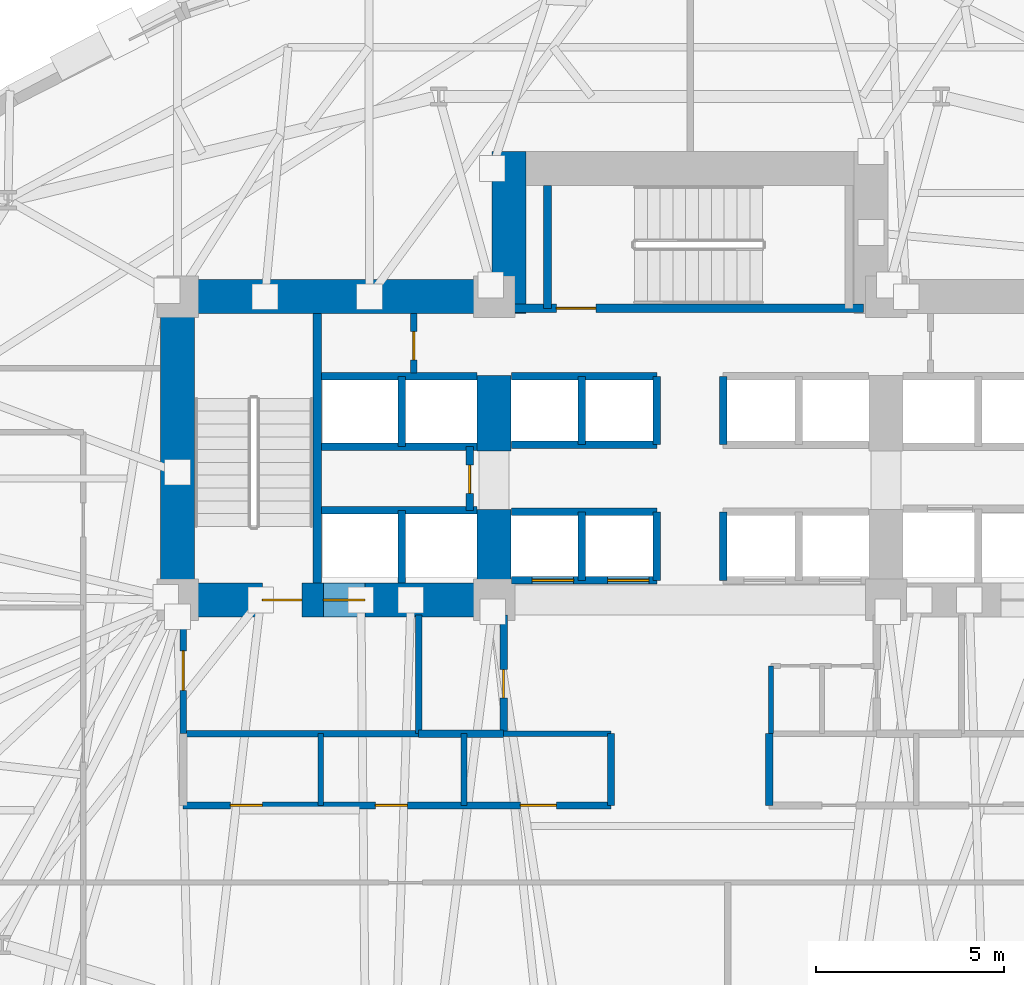
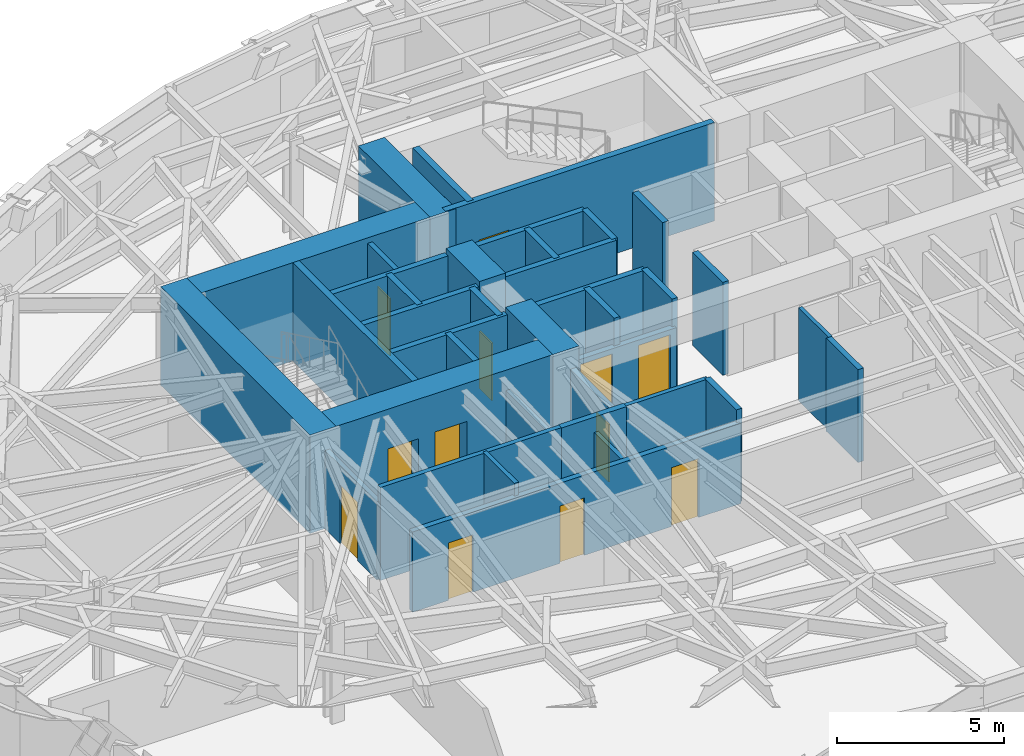
# One storey, part 7 of 14: 38 walls, 12 doors, 12 openings.
"""IFC4 building model written with IfcOpenShell, lengths in metres."""

from ifc_helpers import new_model, si_unit, direction, frame, frame_2d, origin, place, context, subcontext, project, spatial, rectangle, extrude, material, layer, layer_set, type_object, element, fill, save


model = new_model("IFC4")

# Units and contexts
model_context = context("Model", 3, precision=1e-05, world=origin(), true_north=direction((0.0, 1.0)))
body_context = subcontext(model_context, "Body", "Model", "MODEL_VIEW")
ifc_project = project(units=[si_unit("LENGTHUNIT", "METRE"), si_unit("AREAUNIT", "SQUARE_METRE"), si_unit("VOLUMEUNIT", "CUBIC_METRE"), si_unit("PLANEANGLEUNIT", "RADIAN"), si_unit("MASSUNIT", "GRAM", prefix="KILO")], contexts=[model_context])

# Site, building, storey
site_placement = place(None, origin())
site = spatial("IfcSite", under=ifc_project, at=site_placement, CompositionType="ELEMENT")
building_placement = place(site_placement, origin())
building = spatial("IfcBuilding", under=site, at=building_placement, Name="Keldmark Tower", CompositionType="ELEMENT")
storey_placement = place(building_placement, frame((0.0, 0.0, 63.0)))
storey = spatial("IfcBuildingStorey", under=building, at=storey_placement, Name="L16", CompositionType="ELEMENT", Elevation=63.0)

# Wall, openings, doors
ifc_material_1 = material(Name="Heavy Acoustic Plumbing Chase Gypsum Assembly", Category="gypsum")
ifc_layer_1 = layer(ifc_material_1, 0.18994140625)
ifc_layer_set_1 = layer_set([ifc_layer_1], Name="Heavy Acoustic Plumbing Chase Gypsum Assembly")
wall_type_1 = type_object("IfcWallType", Name="Heavy Wet Wall 190 mm", PredefinedType="PLUMBINGWALL", material=ifc_layer_set_1)
wall_1_placement = place(storey_placement, frame((-13.449951171875, -4.050048828125, 0.0), z_axis=(0.0, 0.0, 1.0), x_axis=(1.0, 0.0, 0.0)))
wall_1 = element("IfcWall", 1, at=wall_1_placement, inside=storey, type_object=wall_type_1, Name="L16 Heavy Wet Wall 190 mm SPK-W-S", PredefinedType="PLUMBINGWALL", context=body_context, shape_type="SweptSolid", body=[
    extrude(rectangle(XDim=11.349853515625, YDim=0.18994140625, at=frame_2d((5.6748046875, 0.0))), origin(), (0.0, 0.0, 1.0), 2.93310546875),
])
opening_1_placement = place(wall_1_placement, frame((1.25, 0.0, 0.0)))
opening_1 = element("IfcOpeningElement", 2, at=opening_1_placement, cuts=wall_1, Name="Opening D-WC085", PredefinedType="OPENING", context=body_context, shape_type="SweptSolid", body=[
    extrude(rectangle(XDim=0.85009765625, YDim=2.10009765625, at=frame_2d((0.425048828125, 1.050048828125))), frame((0.0, 0.10498046875, 0.0), z_axis=(0.0, -1.0, 0.0), x_axis=(1.0, 0.0, 0.0)), (0.0, 0.0, 1.0), 0.2099609375),
])
opening_2_placement = place(wall_1_placement, frame((5.10009765625, 0.0, 0.0)))
opening_2 = element("IfcOpeningElement", 3, at=opening_2_placement, cuts=wall_1, Name="Opening D-WC085", PredefinedType="OPENING", context=body_context, shape_type="SweptSolid", body=[
    extrude(rectangle(XDim=0.85009765625, YDim=2.10009765625, at=frame_2d((0.425048828125, 1.050048828125))), frame((0.0, 0.10498046875, 0.0), z_axis=(0.0, -1.0, 0.0), x_axis=(1.0, 0.0, 0.0)), (0.0, 0.0, 1.0), 0.2099609375),
])
opening_3_placement = place(wall_1_placement, frame((8.949951171875, 0.0, 0.0)))
opening_3 = element("IfcOpeningElement", 4, at=opening_3_placement, cuts=wall_1, Name="Opening D-AWC95", PredefinedType="OPENING", context=body_context, shape_type="SweptSolid", body=[
    extrude(rectangle(XDim=0.949951171875, YDim=2.14990234375, at=frame_2d((0.47509765625, 1.074951171875))), frame((0.0, 0.10498046875, 0.0), z_axis=(0.0, -1.0, 0.0), x_axis=(1.0, 0.0, 0.0)), (0.0, 0.0, 1.0), 0.2099609375),
])
ifc_material_2 = material(Name="Painted Solid-Core Architectural Wood", Category="wood")
door_type_1 = type_object("IfcDoorType", Name="Accessible WC Door 950x2150", OperationType="NOTDEFINED", PredefinedType="DOOR", material=ifc_material_2)
door_1_placement = place(opening_3_placement, origin())
door_1 = element("IfcDoor", 5, at=door_1_placement, inside=storey, type_object=door_type_1, Name="L16 Accessible WC Door 950x2150 D-SPKW3-L16", OperationType="SINGLE_SWING_LEFT", OverallHeight=2.14990234375, OverallWidth=0.949951171875, PredefinedType="DOOR", context=body_context, shape_type="SweptSolid", body=[
    extrude(rectangle(XDim=0.949951171875, YDim=2.14990234375, at=frame_2d((0.47509765625, 1.074951171875))), frame((0.0, 0.02490234375, 0.0), z_axis=(0.0, -1.0, 0.0), x_axis=(1.0, 0.0, 0.0)), (0.0, 0.0, 1.0), 0.050048828125),
])
fill(opening_3, door_1)
ifc_material_3 = material(Name="Moisture-Sealed Painted Wood", Category="wood")
door_type_2 = type_object("IfcDoorType", Name="WC Door 850x2100", OperationType="NOTDEFINED", PredefinedType="DOOR", material=ifc_material_3)
door_2_placement = place(opening_1_placement, origin())
door_2 = element("IfcDoor", 6, at=door_2_placement, inside=storey, type_object=door_type_2, Name="L16 WC Door 850x2100 D-SPKW1-L16", OperationType="SINGLE_SWING_LEFT", OverallHeight=2.10009765625, OverallWidth=0.85009765625, PredefinedType="DOOR", context=body_context, shape_type="SweptSolid", body=[
    extrude(rectangle(XDim=0.85009765625, YDim=2.10009765625, at=frame_2d((0.425048828125, 1.050048828125))), frame((0.0, 0.02490234375, 0.0), z_axis=(0.0, -1.0, 0.0), x_axis=(1.0, 0.0, 0.0)), (0.0, 0.0, 1.0), 0.050048828125),
])
fill(opening_1, door_2)
door_3_placement = place(opening_2_placement, origin())
door_3 = element("IfcDoor", 7, at=door_3_placement, inside=storey, type_object=door_type_2, Name="L16 WC Door 850x2100 D-SPKW2-L16", OperationType="SINGLE_SWING_RIGHT", OverallHeight=2.10009765625, OverallWidth=0.85009765625, PredefinedType="DOOR", context=body_context, shape_type="SweptSolid", body=[
    extrude(rectangle(XDim=0.85009765625, YDim=2.10009765625, at=frame_2d((0.425048828125, 1.050048828125))), frame((0.0, 0.02490234375, 0.0), z_axis=(0.0, -1.0, 0.0), x_axis=(1.0, 0.0, 0.0)), (0.0, 0.0, 1.0), 0.050048828125),
])
fill(opening_2, door_3)

# Walls
for number, where, z_axis, x_axis, name in (
    (8, (-2.10009765625, -4.050048828125, 0.0), (0.0, 0.0, 1.0), (0.0, 1.0, 0.0), "L16 Heavy Wet Wall 190 mm SPK-W-E"),
    (9, (2.10009765625, -4.050048828125, 0.0), (0.0, 0.0, 1.0), (0.0, 1.0, 0.0), "L16 Heavy Wet Wall 190 mm SPK-E-W"),
):
    element("IfcWall", number, at=place(storey_placement, frame(where, z_axis=z_axis, x_axis=x_axis)), inside=storey, type_object=wall_type_1, Name=name, PredefinedType="PLUMBINGWALL", context=body_context, shape_type="SweptSolid", body=[
        extrude(rectangle(XDim=1.900146484375, YDim=0.18994140625, at=frame_2d((0.9501953125, 0.0))), origin(), (0.0, 0.0, 1.0), 3.39990234375),
    ])
ifc_material_4 = material(Name="Acoustic Gypsum Board Interior Partition", Category="gypsum")
ifc_layer_2 = layer(ifc_material_4, 0.1298828125)
ifc_layer_set_2 = layer_set([ifc_layer_2], Name="Acoustic Gypsum Board Interior Partition")
wall_type_2 = type_object("IfcWallType", Name="Interior Partition 130 mm", PredefinedType="PARTITIONING", material=ifc_layer_set_2)
wall_2_placement = place(storey_placement, frame((2.14990234375, -2.14990234375, 0.0), z_axis=(0.0, 0.0, 1.0), x_axis=(0.0, 1.0, 0.0)))
element("IfcWall", 10, at=wall_2_placement, inside=storey, type_object=wall_type_2, Name="L16 Interior Partition 130 mm CSC-E-W", PredefinedType="PARTITIONING", context=body_context, shape_type="SweptSolid", body=[
    extrude(rectangle(XDim=1.7998046875, YDim=0.1298828125, at=frame_2d((0.89990234375, 0.0))), origin(), (0.0, 0.0, 1.0), 3.39990234375),
])
ifc_material_5 = material(Name="Concrete C70/85", Category="concrete")
ifc_layer_3 = layer(ifc_material_5, 0.89990234375)
ifc_layer_set_3 = layer_set([ifc_layer_3], Name="Concrete C70/85")
wall_type_3 = type_object("IfcWallType", Name="Lower Core Shear Wall 900 mm", PredefinedType="SHEAR", material=ifc_layer_set_3)
wall_3_placement = place(storey_placement, frame((-13.60009765625, 0.949951171875, 0.0), z_axis=(0.0, 0.0, 1.0), x_axis=(0.0, 1.0, 0.0)))
element("IfcWall", 11, at=wall_3_placement, inside=storey, type_object=wall_type_3, Name="L16 West Core Outer Shear Wall", PredefinedType="SHEAR", context=body_context, shape_type="SweptSolid", body=[
    extrude(rectangle(XDim=8.949951171875, YDim=0.89990234375, at=frame_2d((4.47509765625, 0.0))), origin(), (0.0, 0.0, 1.0), 3.60009765625),
])
wall_4_placement = place(storey_placement, frame((-14.050048828125, 9.449951171875, 0.0), z_axis=(0.0, 0.0, 1.0), x_axis=(1.0, 0.0, 0.0)))
element("IfcWall", 12, at=wall_4_placement, inside=storey, type_object=wall_type_3, Name="L16 West Core North Shear Wall", PredefinedType="SHEAR", context=body_context, shape_type="SweptSolid", body=[
    extrude(rectangle(XDim=9.699951171875, YDim=0.89990234375, at=frame_2d((4.85009765625, 0.0))), origin(), (0.0, 0.0, 1.0), 3.60009765625),
])

# Wall, openings, doors
wall_5_placement = place(storey_placement, frame((-4.75, 1.39990234375, 0.0), z_axis=(0.0, 0.0, 1.0), x_axis=(-1.0, 0.0, 0.0)))
wall_5 = element("IfcWall", 13, at=wall_5_placement, inside=storey, type_object=wall_type_3, Name="L16 West Core South Shear Wall", PredefinedType="SHEAR", context=body_context, shape_type="SweptSolid", body=[
    extrude(rectangle(XDim=9.300048828125, YDim=0.89990234375, at=frame_2d((4.64990234375, 0.0))), origin(), (0.0, 0.0, 1.0), 3.60009765625),
])
opening_4_placement = place(wall_5_placement, frame((5.550048828125, 0.0, 0.0)))
opening_4 = element("IfcOpeningElement", 14, at=opening_4_placement, cuts=wall_5, Name="Opening D-ST105", PredefinedType="OPENING", context=body_context, shape_type="SweptSolid", body=[
    extrude(rectangle(XDim=1.050048828125, YDim=2.14990234375, at=frame_2d((0.52490234375, 1.074951171875))), frame((0.0, 0.4599609375, 0.0), z_axis=(0.0, -1.0, 0.0), x_axis=(1.0, 0.0, 0.0)), (0.0, 0.0, 1.0), 0.919921875),
])
opening_5_placement = place(wall_5_placement, frame((3.8798828125, 0.0, 0.0)))
opening_5 = element("IfcOpeningElement", 15, at=opening_5_placement, cuts=wall_5, Name="Opening LD-110", PredefinedType="OPENING", context=body_context, shape_type="SweptSolid", body=[
    extrude(rectangle(XDim=1.10009765625, YDim=2.199951171875, at=frame_2d((0.550048828125, 1.10009765625))), frame((0.0, 0.4599609375, 0.0), z_axis=(0.0, -1.0, 0.0), x_axis=(1.0, 0.0, 0.0)), (0.0, 0.0, 1.0), 0.919921875),
])
ifc_material_6 = material(Name="Brushed Bronze Hoistway Sliding Leaf", Category="metal")
door_type_3 = type_object("IfcDoorType", Name="Lift Landing Sliding Door 1100x2200", OperationType="SLIDING_TO_LEFT", PredefinedType="DOOR", material=ifc_material_6)
door_4_placement = place(opening_5_placement, origin())
door_4 = element("IfcDoor", 16, at=door_4_placement, inside=storey, type_object=door_type_3, Name="L16 Lift Landing Sliding Door 1100x2200 LD-EL-FS1-L16", OperationType="SLIDING_TO_LEFT", OverallHeight=2.199951171875, OverallWidth=1.10009765625, PredefinedType="DOOR", context=body_context, shape_type="SweptSolid", body=[
    extrude(rectangle(XDim=1.10009765625, YDim=2.199951171875, at=frame_2d((0.550048828125, 1.10009765625))), frame((0.0, 0.02490234375, 0.0), z_axis=(0.0, -1.0, 0.0), x_axis=(1.0, 0.0, 0.0)), (0.0, 0.0, 1.0), 0.050048828125),
])
fill(opening_5, door_4)
ifc_material_7 = material(Name="Hollow Metal Fire-Rated Door Assembly", Category="metal")
door_type_4 = type_object("IfcDoorType", Name="Stair Fire Door 1050x2150", OperationType="NOTDEFINED", PredefinedType="DOOR", material=ifc_material_7)
door_5_placement = place(opening_4_placement, origin())
door_5 = element("IfcDoor", 17, at=door_5_placement, inside=storey, type_object=door_type_4, Name="L16 Stair Fire Door 1050x2150 D-ST1-L16", OperationType="SINGLE_SWING_RIGHT", OverallHeight=2.14990234375, OverallWidth=1.050048828125, PredefinedType="DOOR", context=body_context, shape_type="SweptSolid", body=[
    extrude(rectangle(XDim=1.050048828125, YDim=2.14990234375, at=frame_2d((0.52490234375, 1.074951171875))), frame((0.0, 0.02490234375, 0.0), z_axis=(0.0, -1.0, 0.0), x_axis=(1.0, 0.0, 0.0)), (0.0, 0.0, 1.0), 0.050048828125),
])
fill(opening_4, door_5)

# Walls
wall_6_placement = place(storey_placement, frame((-5.199951171875, 0.949951171875, 0.0), z_axis=(0.0, 0.0, 1.0), x_axis=(0.0, 1.0, 0.0)))
element("IfcWall", 18, at=wall_6_placement, inside=storey, type_object=wall_type_3, Name="L16 West Core Inner Shear Pier South", PredefinedType="SHEAR", context=body_context, shape_type="SweptSolid", body=[
    extrude(rectangle(XDim=2.85009765625, YDim=0.89990234375, at=frame_2d((1.425048828125, 0.0))), origin(), (0.0, 0.0, 1.0), 3.60009765625),
])
wall_7_placement = place(storey_placement, frame((-5.199951171875, 5.35009765625, 0.0), z_axis=(0.0, 0.0, 1.0), x_axis=(0.0, 1.0, 0.0)))
element("IfcWall", 19, at=wall_7_placement, inside=storey, type_object=wall_type_3, Name="L16 West Core Inner Shear Pier North", PredefinedType="SHEAR", context=body_context, shape_type="SweptSolid", body=[
    extrude(rectangle(XDim=2.0, YDim=0.89990234375, at=frame_2d((1.0, 0.0))), origin(), (0.0, 0.0, 1.0), 3.60009765625),
])
wall_8_placement = place(storey_placement, frame((-4.800048828125, 9.0, 0.0), z_axis=(0.0, 0.0, 1.0), x_axis=(0.0, 1.0, 0.0)))
element("IfcWall", 20, at=wall_8_placement, inside=storey, type_object=wall_type_3, Name="L16 North Core West Shear Wall", PredefinedType="SHEAR", context=body_context, shape_type="SweptSolid", body=[
    extrude(rectangle(XDim=4.300048828125, YDim=0.89990234375, at=frame_2d((2.14990234375, 0.0))), origin(), (0.0, 0.0, 1.0), 3.60009765625),
])
ifc_material_8 = material(Name="Type X Fire-Rated Gypsum Partition Assembly", Category="gypsum")
ifc_layer_4 = layer(ifc_material_8, 0.1650390625)
ifc_layer_set_4 = layer_set([ifc_layer_4], Name="Type X Fire-Rated Gypsum Partition Assembly")
wall_type_4 = type_object("IfcWallType", Name="Rated Partition 165 mm", PredefinedType="PARTITIONING", material=ifc_layer_set_4)
wall_9_placement = place(storey_placement, frame((-13.449951171875, -2.14990234375, 0.0), z_axis=(0.0, 0.0, 1.0), x_axis=(1.0, 0.0, 0.0)))
element("IfcWall", 21, at=wall_9_placement, inside=storey, type_object=wall_type_4, Name="L16 Rated Partition 165 mm FSAE-W-S", PredefinedType="PARTITIONING", context=body_context, shape_type="SweptSolid", body=[
    extrude(rectangle(XDim=6.25, YDim=0.1650390625, at=frame_2d((3.125, 0.0))), origin(), (0.0, 0.0, 1.0), 3.39990234375),
])

# Wall, opening, door
wall_10_placement = place(storey_placement, frame((-13.449951171875, -2.14990234375, 0.0), z_axis=(0.0, 0.0, 1.0), x_axis=(0.0, 1.0, 0.0)))
wall_10 = element("IfcWall", 22, at=wall_10_placement, inside=storey, type_object=wall_type_4, Name="L16 Rated Partition 165 mm FSAE-W-W", PredefinedType="PARTITIONING", context=body_context, shape_type="SweptSolid", body=[
    extrude(rectangle(XDim=3.14990234375, YDim=0.1650390625, at=frame_2d((1.574951171875, 0.0))), origin(), (0.0, 0.0, 1.0), 2.85302734375),
])
opening_6_placement = place(wall_10_placement, frame((1.14990234375, 0.0, 0.0)))
opening_6 = element("IfcOpeningElement", 23, at=opening_6_placement, cuts=wall_10, Name="Opening D-FL105", PredefinedType="OPENING", context=body_context, shape_type="SweptSolid", body=[
    extrude(rectangle(XDim=1.050048828125, YDim=2.14990234375, at=frame_2d((0.52490234375, 1.074951171875))), frame((0.0, 0.092529296875, 0.0), z_axis=(0.0, -1.0, 0.0), x_axis=(1.0, 0.0, 0.0)), (0.0, 0.0, 1.0), 0.18505859375),
])
ifc_material_9 = material(Name="Fire-Rated Mineral-Core Door and Vision Lite", Category="metal")
door_type_5 = type_object("IfcDoorType", Name="Fire Lobby Door 1050x2150", OperationType="NOTDEFINED", PredefinedType="DOOR", material=ifc_material_9)
door_6_placement = place(opening_6_placement, origin())
door_6 = element("IfcDoor", 24, at=door_6_placement, inside=storey, type_object=door_type_5, Name="L16 Fire Lobby Door 1050x2150 D-FSAEW-OUT-L16", OperationType="SINGLE_SWING_LEFT", OverallHeight=2.14990234375, OverallWidth=1.050048828125, PredefinedType="DOOR", context=body_context, shape_type="SweptSolid", body=[
    extrude(rectangle(XDim=1.050048828125, YDim=2.14990234375, at=frame_2d((0.52490234375, 1.074951171875))), frame((0.0, 0.02490234375, 0.0), z_axis=(0.0, -1.0, 0.0), x_axis=(1.0, 0.0, 0.0)), (0.0, 0.0, 1.0), 0.050048828125),
])
fill(opening_6, door_6)

# Wall
wall_11_placement = place(storey_placement, frame((-7.199951171875, -2.14990234375, 0.0), z_axis=(0.0, 0.0, 1.0), x_axis=(0.0, 1.0, 0.0)))
element("IfcWall", 25, at=wall_11_placement, inside=storey, type_object=wall_type_4, Name="L16 Rated Partition 165 mm FSAE-W-E", PredefinedType="PARTITIONING", context=body_context, shape_type="SweptSolid", body=[
    extrude(rectangle(XDim=3.14990234375, YDim=0.1650390625, at=frame_2d((1.574951171875, 0.0))), origin(), (0.0, 0.0, 1.0), 2.85302734375),
])

# Wall, opening, door
wall_12_placement = place(storey_placement, frame((-7.330078125, 7.419921875, 0.0), z_axis=(0.0, 0.0, 1.0), x_axis=(0.0, 1.0, 0.0)))
wall_12 = element("IfcWall", 26, at=wall_12_placement, inside=storey, type_object=wall_type_4, Name="L16 Rated Partition 165 mm CS-NW-E", PredefinedType="PARTITIONING", context=body_context, shape_type="SweptSolid", body=[
    extrude(rectangle(XDim=1.580078125, YDim=0.1650390625, at=frame_2d((0.7900390625, 0.0))), origin(), (0.0, 0.0, 1.0), 3.39990234375),
])
opening_7_placement = place(wall_12_placement, frame((0.35009765625, 0.0, 0.0)))
opening_7 = element("IfcOpeningElement", 27, at=opening_7_placement, cuts=wall_12, Name="Opening D-RS075", PredefinedType="OPENING", context=body_context, shape_type="SweptSolid", body=[
    extrude(rectangle(XDim=0.75, YDim=2.10009765625, at=frame_2d((0.375, 1.050048828125))), frame((0.0, 0.092529296875, 0.0), z_axis=(0.0, -1.0, 0.0), x_axis=(1.0, 0.0, 0.0)), (0.0, 0.0, 1.0), 0.18505859375),
])
ifc_material_10 = material(Name="Galvanized Fire-Rated Access Leaf", Category="metal")
door_type_6 = type_object("IfcDoorType", Name="Riser Access Door 750x2100", OperationType="NOTDEFINED", PredefinedType="DOOR", material=ifc_material_10)
door_7_placement = place(opening_7_placement, origin())
door_7 = element("IfcDoor", 28, at=door_7_placement, inside=storey, type_object=door_type_6, Name="L16 Riser Access Door 750x2100 D-CSNW1-L16", OperationType="SINGLE_SWING_RIGHT", OverallHeight=2.10009765625, OverallWidth=0.75, PredefinedType="DOOR", context=body_context, shape_type="SweptSolid", body=[
    extrude(rectangle(XDim=0.75, YDim=2.10009765625, at=frame_2d((0.375, 1.050048828125))), frame((0.0, 0.02490234375, 0.0), z_axis=(0.0, -1.0, 0.0), x_axis=(1.0, 0.0, 0.0)), (0.0, 0.0, 1.0), 0.050048828125),
])
fill(opening_7, door_7)

# Wall
ifc_material_11 = material(Name="Fire-Resistant Type X Gypsum Shaftliner Coreboard", Category="gypsum")
ifc_layer_5 = layer(ifc_material_11, 0.199951171875)
ifc_layer_set_5 = layer_set([ifc_layer_5], Name="Fire-Resistant Type X Gypsum Shaftliner Coreboard")
wall_type_5 = type_object("IfcWallType", Name="Shaft Wall 200 mm", PredefinedType="SOLIDWALL", material=ifc_layer_set_5)
wall_13_placement = place(storey_placement, frame((-7.199951171875, -2.14990234375, 0.0), z_axis=(0.0, 0.0, 1.0), x_axis=(1.0, 0.0, 0.0)))
element("IfcWall", 29, at=wall_13_placement, inside=storey, type_object=wall_type_5, Name="L16 Shaft Wall 200 mm RIS-SW-S", PredefinedType="SOLIDWALL", context=body_context, shape_type="SweptSolid", body=[
    extrude(rectangle(XDim=2.25, YDim=0.199951171875, at=frame_2d((1.125, 0.0))), origin(), (0.0, 0.0, 1.0), 3.39990234375),
])

# Wall, opening, door
wall_14_placement = place(storey_placement, frame((-4.949951171875, -2.14990234375, 0.0), z_axis=(0.0, 0.0, 1.0), x_axis=(0.0, 1.0, 0.0)))
wall_14 = element("IfcWall", 30, at=wall_14_placement, inside=storey, type_object=wall_type_5, Name="L16 Shaft Wall 200 mm RIS-SW-E", PredefinedType="SOLIDWALL", context=body_context, shape_type="SweptSolid", body=[
    extrude(rectangle(XDim=3.14990234375, YDim=0.199951171875, at=frame_2d((1.574951171875, 0.0))), origin(), (0.0, 0.0, 1.0), 2.85302734375),
])
opening_8_placement = place(wall_14_placement, frame((0.949951171875, 0.0, 0.0)))
opening_8 = element("IfcOpeningElement", 31, at=opening_8_placement, cuts=wall_14, Name="Opening D-RS075", PredefinedType="OPENING", context=body_context, shape_type="SweptSolid", body=[
    extrude(rectangle(XDim=0.75, YDim=2.10009765625, at=frame_2d((0.375, 1.050048828125))), frame((0.0, 0.10986328125, 0.0), z_axis=(0.0, -1.0, 0.0), x_axis=(1.0, 0.0, 0.0)), (0.0, 0.0, 1.0), 0.219970703125),
])
door_8_placement = place(opening_8_placement, origin())
door_8 = element("IfcDoor", 32, at=door_8_placement, inside=storey, type_object=door_type_6, Name="L16 Riser Access Door 750x2100 D-RISSW-L16", OperationType="SINGLE_SWING_RIGHT", OverallHeight=2.10009765625, OverallWidth=0.75, PredefinedType="DOOR", context=body_context, shape_type="SweptSolid", body=[
    extrude(rectangle(XDim=0.75, YDim=2.10009765625, at=frame_2d((0.375, 1.050048828125))), frame((0.0, 0.02490234375, 0.0), z_axis=(0.0, -1.0, 0.0), x_axis=(1.0, 0.0, 0.0)), (0.0, 0.0, 1.0), 0.050048828125),
])
fill(opening_8, door_8)

# Walls
wall_15_placement = place(storey_placement, frame((-9.780029296875, 3.780029296875, 0.0), z_axis=(0.0, 0.0, 1.0), x_axis=(1.0, 0.0, 0.0)))
element("IfcWall", 33, at=wall_15_placement, inside=storey, type_object=wall_type_5, Name="L16 Shaft Wall 200 mm HW-W-S", PredefinedType="SOLIDWALL", context=body_context, shape_type="SweptSolid", body=[
    extrude(rectangle(XDim=4.130126953125, YDim=0.199951171875, at=frame_2d((2.06494140625, 0.0))), origin(), (0.0, 0.0, 1.0), 3.39990234375),
])
wall_16_placement = place(storey_placement, frame((-7.64990234375, 1.85009765625, 0.0), z_axis=(0.0, 0.0, 1.0), x_axis=(0.0, 1.0, 0.0)))
element("IfcWall", 34, at=wall_16_placement, inside=storey, type_object=wall_type_5, Name="L16 Shaft Wall 200 mm HW-W-M", PredefinedType="SOLIDWALL", context=body_context, shape_type="SweptSolid", body=[
    extrude(rectangle(XDim=1.929931640625, YDim=0.199951171875, at=frame_2d((0.96484375, 0.0))), origin(), (0.0, 0.0, 1.0), 3.39990234375),
])
for number, where, z_axis, x_axis, name in (
    (35, (-9.780029296875, 5.469970703125, 0.0), (0.0, 0.0, 1.0), (1.0, 0.0, 0.0), "L16 Shaft Wall 200 mm HW-W-N"),
    (36, (-9.780029296875, 7.330078125, 0.0), (0.0, 0.0, 1.0), (1.0, 0.0, 0.0), "L16 Shaft Wall 200 mm HW-W-TOP"),
):
    element("IfcWall", number, at=place(storey_placement, frame(where, z_axis=z_axis, x_axis=x_axis)), inside=storey, type_object=wall_type_5, Name=name, PredefinedType="SOLIDWALL", context=body_context, shape_type="SweptSolid", body=[
        extrude(rectangle(XDim=4.130126953125, YDim=0.199951171875, at=frame_2d((2.06494140625, 0.0))), origin(), (0.0, 0.0, 1.0), 3.39990234375),
    ])
wall_17_placement = place(storey_placement, frame((-7.64990234375, 5.469970703125, 0.0), z_axis=(0.0, 0.0, 1.0), x_axis=(0.0, 1.0, 0.0)))
element("IfcWall", 37, at=wall_17_placement, inside=storey, type_object=wall_type_5, Name="L16 Shaft Wall 200 mm HW-W-NM", PredefinedType="SOLIDWALL", context=body_context, shape_type="SweptSolid", body=[
    extrude(rectangle(XDim=1.860107421875, YDim=0.199951171875, at=frame_2d((0.93017578125, 0.0))), origin(), (0.0, 0.0, 1.0), 3.39990234375),
])

# Wall, opening, door
wall_18_placement = place(storey_placement, frame((-5.85009765625, 3.780029296875, 0.0), z_axis=(0.0, 0.0, 1.0), x_axis=(0.0, 1.0, 0.0)))
wall_18 = element("IfcWall", 38, at=wall_18_placement, inside=storey, type_object=wall_type_5, Name="L16 Shaft Wall 200 mm HW-W-CLOSE", PredefinedType="SOLIDWALL", context=body_context, shape_type="SweptSolid", body=[
    extrude(rectangle(XDim=1.68994140625, YDim=0.199951171875, at=frame_2d((0.844970703125, 0.0))), origin(), (0.0, 0.0, 1.0), 3.39990234375),
])
opening_9_placement = place(wall_18_placement, frame((0.449951171875, 0.0, 0.0)))
opening_9 = element("IfcOpeningElement", 39, at=opening_9_placement, cuts=wall_18, Name="Opening D-RS075", PredefinedType="OPENING", context=body_context, shape_type="SweptSolid", body=[
    extrude(rectangle(XDim=0.75, YDim=2.10009765625, at=frame_2d((0.375, 1.050048828125))), frame((0.0, 0.10986328125, 0.0), z_axis=(0.0, -1.0, 0.0), x_axis=(1.0, 0.0, 0.0)), (0.0, 0.0, 1.0), 0.219970703125),
])
door_9_placement = place(opening_9_placement, origin())
door_9 = element("IfcDoor", 40, at=door_9_placement, inside=storey, type_object=door_type_6, Name="L16 Riser Access Door 750x2100 D-RISHW-L16", OperationType="SINGLE_SWING_RIGHT", OverallHeight=2.10009765625, OverallWidth=0.75, PredefinedType="DOOR", context=body_context, shape_type="SweptSolid", body=[
    extrude(rectangle(XDim=0.75, YDim=2.10009765625, at=frame_2d((0.375, 1.050048828125))), frame((0.0, 0.02490234375, 0.0), z_axis=(0.0, -1.0, 0.0), x_axis=(1.0, 0.0, 0.0)), (0.0, 0.0, 1.0), 0.050048828125),
])
fill(opening_9, door_9)

# Wall, openings, doors
wall_19_placement = place(storey_placement, frame((-4.739990234375, 1.919921875, 0.0), z_axis=(0.0, 0.0, 1.0), x_axis=(1.0, 0.0, 0.0)))
wall_19 = element("IfcWall", 41, at=wall_19_placement, inside=storey, type_object=wall_type_5, Name="L16 Shaft Wall 200 mm LOW-S-W", PredefinedType="SOLIDWALL", context=body_context, shape_type="SweptSolid", body=[
    extrude(rectangle(XDim=3.860107421875, YDim=0.199951171875, at=frame_2d((1.93017578125, 0.0))), origin(), (0.0, 0.0, 1.0), 2.389892578125),
])
opening_10_placement = place(wall_19_placement, frame((0.550048828125, 0.0, 0.0)))
opening_10 = element("IfcOpeningElement", 42, at=opening_10_placement, cuts=wall_19, Name="Opening LD-110", PredefinedType="OPENING", context=body_context, shape_type="SweptSolid", body=[
    extrude(rectangle(XDim=1.10009765625, YDim=2.199951171875, at=frame_2d((0.550048828125, 1.10009765625))), frame((0.0, 0.10986328125, 0.0), z_axis=(0.0, -1.0, 0.0), x_axis=(1.0, 0.0, 0.0)), (0.0, 0.0, 1.0), 0.219970703125),
])
opening_11_placement = place(wall_19_placement, frame((2.550048828125, 0.0, 0.0)))
opening_11 = element("IfcOpeningElement", 43, at=opening_11_placement, cuts=wall_19, Name="Opening LD-110", PredefinedType="OPENING", context=body_context, shape_type="SweptSolid", body=[
    extrude(rectangle(XDim=1.10009765625, YDim=2.199951171875, at=frame_2d((0.550048828125, 1.10009765625))), frame((0.0, 0.10986328125, 0.0), z_axis=(0.0, -1.0, 0.0), x_axis=(1.0, 0.0, 0.0)), (0.0, 0.0, 1.0), 0.219970703125),
])
door_10_placement = place(opening_10_placement, origin())
door_10 = element("IfcDoor", 44, at=door_10_placement, inside=storey, type_object=door_type_3, Name="L16 Lift Landing Sliding Door 1100x2200 LD-EL-L1-L16", OperationType="SLIDING_TO_LEFT", OverallHeight=2.199951171875, OverallWidth=1.10009765625, PredefinedType="DOOR", context=body_context, shape_type="SweptSolid", body=[
    extrude(rectangle(XDim=1.10009765625, YDim=2.199951171875, at=frame_2d((0.550048828125, 1.10009765625))), frame((0.0, 0.02490234375, 0.0), z_axis=(0.0, -1.0, 0.0), x_axis=(1.0, 0.0, 0.0)), (0.0, 0.0, 1.0), 0.050048828125),
])
fill(opening_10, door_10)
door_11_placement = place(opening_11_placement, origin())
door_11 = element("IfcDoor", 45, at=door_11_placement, inside=storey, type_object=door_type_3, Name="L16 Lift Landing Sliding Door 1100x2200 LD-EL-L2-L16", OperationType="SLIDING_TO_LEFT", OverallHeight=2.199951171875, OverallWidth=1.10009765625, PredefinedType="DOOR", context=body_context, shape_type="SweptSolid", body=[
    extrude(rectangle(XDim=1.10009765625, YDim=2.199951171875, at=frame_2d((0.550048828125, 1.10009765625))), frame((0.0, 0.02490234375, 0.0), z_axis=(0.0, -1.0, 0.0), x_axis=(1.0, 0.0, 0.0)), (0.0, 0.0, 1.0), 0.050048828125),
])
fill(opening_11, door_11)

# Walls
wall_20_placement = place(storey_placement, frame((-4.739990234375, 3.739990234375, 0.0), z_axis=(0.0, 0.0, 1.0), x_axis=(1.0, 0.0, 0.0)))
element("IfcWall", 46, at=wall_20_placement, inside=storey, type_object=wall_type_5, Name="L16 Shaft Wall 200 mm LOW-N-W", PredefinedType="SOLIDWALL", context=body_context, shape_type="SweptSolid", body=[
    extrude(rectangle(XDim=3.860107421875, YDim=0.199951171875, at=frame_2d((1.93017578125, 0.0))), origin(), (0.0, 0.0, 1.0), 3.39990234375),
])
for number, where, z_axis, x_axis, name in (
    (47, (-2.8798828125, 1.919921875, 0.0), (0.0, 0.0, 1.0), (0.0, 1.0, 0.0), "L16 Shaft Wall 200 mm LOW-M-W"),
    (48, (-0.8798828125, 1.919921875, 0.0), (0.0, 0.0, 1.0), (0.0, 1.0, 0.0), "L16 Shaft Wall 200 mm LOW-C-W"),
    (49, (0.8798828125, 1.919921875, 0.0), (0.0, 0.0, 1.0), (0.0, 1.0, 0.0), "L16 Shaft Wall 200 mm LOW-C-E"),
):
    element("IfcWall", number, at=place(storey_placement, frame(where, z_axis=z_axis, x_axis=x_axis)), inside=storey, type_object=wall_type_5, Name=name, PredefinedType="SOLIDWALL", context=body_context, shape_type="SweptSolid", body=[
        extrude(rectangle(XDim=1.820068359375, YDim=0.199951171875, at=frame_2d((0.91015625, 0.0))), origin(), (0.0, 0.0, 1.0), 3.39990234375),
    ])
for number, where, z_axis, x_axis, name in (
    (50, (-4.739990234375, 5.52001953125, 0.0), (0.0, 0.0, 1.0), (1.0, 0.0, 0.0), "L16 Shaft Wall 200 mm MID-S-W"),
    (51, (-4.739990234375, 7.330078125, 0.0), (0.0, 0.0, 1.0), (1.0, 0.0, 0.0), "L16 Shaft Wall 200 mm MID-N-W"),
):
    element("IfcWall", number, at=place(storey_placement, frame(where, z_axis=z_axis, x_axis=x_axis)), inside=storey, type_object=wall_type_5, Name=name, PredefinedType="SOLIDWALL", context=body_context, shape_type="SweptSolid", body=[
        extrude(rectangle(XDim=3.860107421875, YDim=0.199951171875, at=frame_2d((1.93017578125, 0.0))), origin(), (0.0, 0.0, 1.0), 3.39990234375),
    ])
for number, where, z_axis, x_axis, name in (
    (52, (-2.8798828125, 5.52001953125, 0.0), (0.0, 0.0, 1.0), (0.0, 1.0, 0.0), "L16 Shaft Wall 200 mm MID-M-W"),
    (53, (-0.8798828125, 5.52001953125, 0.0), (0.0, 0.0, 1.0), (0.0, 1.0, 0.0), "L16 Shaft Wall 200 mm MID-C-W"),
    (54, (0.8798828125, 5.52001953125, 0.0), (0.0, 0.0, 1.0), (0.0, 1.0, 0.0), "L16 Shaft Wall 200 mm MID-C-E"),
):
    element("IfcWall", number, at=place(storey_placement, frame(where, z_axis=z_axis, x_axis=x_axis)), inside=storey, type_object=wall_type_5, Name=name, PredefinedType="SOLIDWALL", context=body_context, shape_type="SweptSolid", body=[
        extrude(rectangle(XDim=1.81005859375, YDim=0.199951171875, at=frame_2d((0.905029296875, 0.0))), origin(), (0.0, 0.0, 1.0), 3.39990234375),
    ])
ifc_material_12 = material(Name="Concrete C50/60", Category="concrete")
ifc_layer_6 = layer(ifc_material_12, 0.219970703125)
ifc_layer_set_6 = layer_set([ifc_layer_6], Name="Concrete C50/60")
wall_type_6 = type_object("IfcWallType", Name="Stair Core Shear Wall 220 mm", PredefinedType="SHEAR", material=ifc_layer_set_6)
wall_21_placement = place(storey_placement, frame((-9.889892578125, 1.85009765625, 0.0), z_axis=(0.0, 0.0, 1.0), x_axis=(0.0, 1.0, 0.0)))
element("IfcWall", 55, at=wall_21_placement, inside=storey, type_object=wall_type_6, Name="L16 West Stair Core Shear Wall", PredefinedType="SHEAR", context=body_context, shape_type="SweptSolid", body=[
    extrude(rectangle(XDim=7.14990234375, YDim=0.219970703125, at=frame_2d((3.574951171875, 0.0))), origin(), (0.0, 0.0, 1.0), 3.60009765625),
])

# Wall, opening, door
wall_22_placement = place(storey_placement, frame((-4.699951171875, 9.139892578125, 0.0), z_axis=(0.0, 0.0, 1.0), x_axis=(1.0, 0.0, 0.0)))
wall_22 = element("IfcWall", 56, at=wall_22_placement, inside=storey, type_object=wall_type_6, Name="L16 Central Stair Core South Shear Wall", PredefinedType="SHEAR", context=body_context, shape_type="SweptSolid", body=[
    extrude(rectangle(XDim=9.300048828125, YDim=0.219970703125, at=frame_2d((4.64990234375, 0.0))), origin(), (0.0, 0.0, 1.0), 3.60009765625),
])
opening_12_placement = place(wall_22_placement, frame((1.14990234375, 0.0, 0.0)))
opening_12 = element("IfcOpeningElement", 57, at=opening_12_placement, cuts=wall_22, Name="Opening D-ST105", PredefinedType="OPENING", context=body_context, shape_type="SweptSolid", body=[
    extrude(rectangle(XDim=1.050048828125, YDim=2.14990234375, at=frame_2d((0.52490234375, 1.074951171875))), frame((0.0, 0.119873046875, 0.0), z_axis=(0.0, -1.0, 0.0), x_axis=(1.0, 0.0, 0.0)), (0.0, 0.0, 1.0), 0.239990234375),
])
door_12_placement = place(opening_12_placement, origin())
door_12 = element("IfcDoor", 58, at=door_12_placement, inside=storey, type_object=door_type_4, Name="L16 Stair Fire Door 1050x2150 D-ST3-L16", OperationType="SINGLE_SWING_RIGHT", OverallHeight=2.14990234375, OverallWidth=1.050048828125, PredefinedType="DOOR", context=body_context, shape_type="SweptSolid", body=[
    extrude(rectangle(XDim=1.050048828125, YDim=2.14990234375, at=frame_2d((0.52490234375, 1.074951171875))), frame((0.0, 0.02490234375, 0.0), z_axis=(0.0, -1.0, 0.0), x_axis=(1.0, 0.0, 0.0)), (0.0, 0.0, 1.0), 0.050048828125),
])
fill(opening_12, door_12)

# Walls
wall_23_placement = place(storey_placement, frame((-3.784912109375, 9.139892578125, 0.0), z_axis=(0.0, 0.0, 1.0), x_axis=(0.0, 1.0, 0.0)))
element("IfcWall", 59, at=wall_23_placement, inside=storey, type_object=wall_type_6, Name="L16 Central Stair Core West Shear Wall", PredefinedType="SHEAR", context=body_context, shape_type="SweptSolid", body=[
    extrude(rectangle(XDim=3.260009765625, YDim=0.219970703125, at=frame_2d((1.6298828125, 0.0))), origin(), (0.0, 0.0, 1.0), 3.60009765625),
])
ifc_material_13 = material(Name="Moisture-Resistant Gypsum Plumbing Partition", Category="gypsum")
ifc_layer_7 = layer(ifc_material_13, 0.14990234375)
ifc_layer_set_7 = layer_set([ifc_layer_7], Name="Moisture-Resistant Gypsum Plumbing Partition")
wall_type_7 = type_object("IfcWallType", Name="Wet Wall 150 mm", PredefinedType="PLUMBINGWALL", material=ifc_layer_set_7)
wall_24_placement = place(storey_placement, frame((-4.949951171875, -2.14990234375, 0.0), z_axis=(0.0, 0.0, 1.0), x_axis=(1.0, 0.0, 0.0)))
element("IfcWall", 60, at=wall_24_placement, inside=storey, type_object=wall_type_7, Name="L16 Wet Wall 150 mm SPK-W-N", PredefinedType="PLUMBINGWALL", context=body_context, shape_type="SweptSolid", body=[
    extrude(rectangle(XDim=2.849853515625, YDim=0.14990234375, at=frame_2d((1.4248046875, 0.0))), origin(), (0.0, 0.0, 1.0), 3.39990234375),
])
wall_25_placement = place(storey_placement, frame((-9.800048828125, -4.050048828125, 0.0), z_axis=(0.0, 0.0, 1.0), x_axis=(0.0, 1.0, 0.0)))
element("IfcWall", 61, at=wall_25_placement, inside=storey, type_object=wall_type_7, Name="L16 Wet Wall 150 mm SPK-W-D1", PredefinedType="PLUMBINGWALL", context=body_context, shape_type="SweptSolid", body=[
    extrude(rectangle(XDim=1.900146484375, YDim=0.14990234375, at=frame_2d((0.9501953125, 0.0))), origin(), (0.0, 0.0, 1.0), 3.39990234375),
])
wall_26_placement = place(storey_placement, frame((-6.0, -4.050048828125, 0.0), z_axis=(0.0, 0.0, 1.0), x_axis=(0.0, 1.0, 0.0)))
element("IfcWall", 62, at=wall_26_placement, inside=storey, type_object=wall_type_7, Name="L16 Wet Wall 150 mm SPK-W-D2", PredefinedType="PLUMBINGWALL", context=body_context, shape_type="SweptSolid", body=[
    extrude(rectangle(XDim=1.900146484375, YDim=0.14990234375, at=frame_2d((0.9501953125, 0.0))), origin(), (0.0, 0.0, 1.0), 2.841064453125),
])

save(model, "model.ifc")
